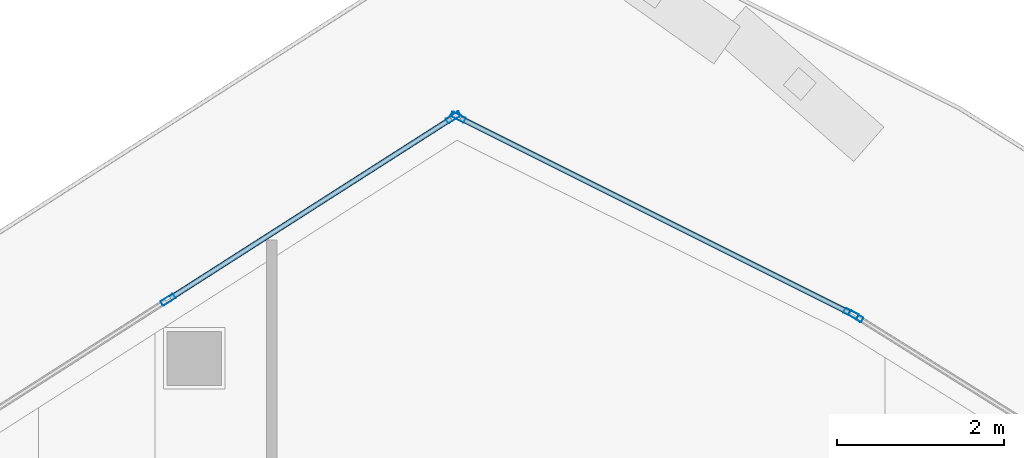
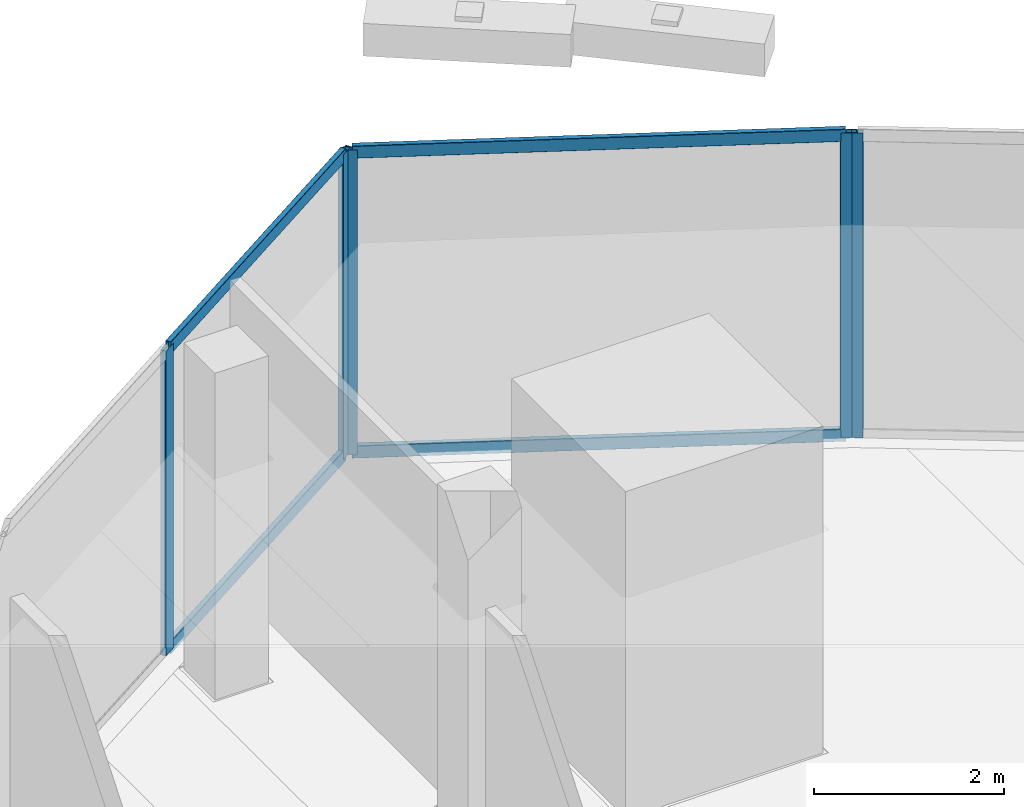
# One storey, part 26 of 44: 9 members, 3 elements without a shape of their own.
"""IFC4 building model written with IfcOpenShell, lengths in metres."""

from ifc_helpers import new_model, si_unit, direction, frame, origin, origin_2d, place, context, subcontext, project, spatial, hollow_rectangle, extrude, material, layer, layer_set, material_profile, profile_set, type_object, element, aggregate, save


model = new_model("IFC4")

# Units and contexts
model_context = context("Model", 3, precision=1e-05, world=origin(), true_north=direction((0.0, 1.0)))
body_context = subcontext(model_context, "Body", "Model", "MODEL_VIEW")
ifc_project = project(units=[si_unit("LENGTHUNIT", "METRE"), si_unit("AREAUNIT", "SQUARE_METRE"), si_unit("VOLUMEUNIT", "CUBIC_METRE"), si_unit("PLANEANGLEUNIT", "RADIAN"), si_unit("MASSUNIT", "GRAM", prefix="KILO")], contexts=[model_context])

# Site, building, storey
site_placement = place(None, origin())
site = spatial("IfcSite", under=ifc_project, at=site_placement, CompositionType="ELEMENT")
building_placement = place(site_placement, origin())
building = spatial("IfcBuilding", under=site, at=building_placement, Name="Qorvath Tower", CompositionType="ELEMENT")
storey_placement = place(building_placement, frame((0.0, 0.0, 45.0)))
storey = spatial("IfcBuildingStorey", under=building, at=storey_placement, Name="L09", CompositionType="ELEMENT", Elevation=45.0)

# Curtain wall, member
ifc_material_1 = material(Name="Anodised aluminium and triple low-E glass", Category="aluminium")
ifc_layer = layer(ifc_material_1, 0.179931640625)
ifc_layer_set = layer_set([ifc_layer], Name="CW-SYS-2")
curtain_wall_type = type_object("IfcCurtainWallType", Name="CW-SYS-2", PredefinedType="NOTDEFINED", material=ifc_layer_set)
curtain_wall_1_placement = place(storey_placement, origin())
curtain_wall_1 = element("IfcCurtainWall", 1, at=curtain_wall_1_placement, inside=storey, type_object=curtain_wall_type, Name="Curtain Wall CW-2 CW-T-L09-14.1", PredefinedType="NOTDEFINED")
ifc_material_2 = material(Name="Anodised aluminium 6063-T6", Category="aluminium")
ifc_material_profile_1 = material_profile(ifc_material_2, hollow_rectangle(XDim=0.06494140625, YDim=0.179931640625, WallThickness=0.00341796875, InnerFilletRadius=0.00341796875, OuterFilletRadius=0.007080078125, at=origin_2d()), Name="CWM 180x65")
ifc_profile_set_1 = profile_set([ifc_material_profile_1], Name="Anodised aluminium 6063-T6")
member_type_1 = type_object("IfcMemberType", Name="CWM-180", PredefinedType="MULLION", material=ifc_profile_set_1)
member_1_placement = place(storey_placement, frame((-10.06396484375, 31.00439453125, 0.0), z_axis=(0.0, 0.0, 1.0), x_axis=(-0.529724040691, -0.848170054125, 0.0)))
member_1 = element("IfcMember", 2, at=member_1_placement, type_object=member_type_1, Name="CW-2 mullion 3", PredefinedType="MULLION", context=body_context, shape_type="SweptSolid", body=[
    extrude(hollow_rectangle(XDim=0.06494140625, YDim=0.179931640625, WallThickness=0.00341796875, InnerFilletRadius=0.00341796875, OuterFilletRadius=0.007080078125, at=origin_2d()), origin(), (0.0, 0.0, 1.0), 3.919921875),
])
aggregate(curtain_wall_1, [member_1])

# Curtain wall, members
curtain_wall_2_placement = place(storey_placement, origin())
curtain_wall_2 = element("IfcCurtainWall", 3, at=curtain_wall_2_placement, inside=storey, type_object=curtain_wall_type, Name="Curtain Wall CW-2 CW-T-L09-15.1", PredefinedType="NOTDEFINED")
member_2_placement = place(storey_placement, frame((-10.12060546875, 31.0361328125, 0.0), z_axis=(0.0, 0.0, 1.0), x_axis=(-0.447258573792, -0.89440470044, 0.0)))
member_2 = element("IfcMember", 4, at=member_2_placement, type_object=member_type_1, Name="CW-2 mullion 1", PredefinedType="MULLION", context=body_context, shape_type="SweptSolid", body=[
    extrude(hollow_rectangle(XDim=0.06494140625, YDim=0.179931640625, WallThickness=0.00341796875, InnerFilletRadius=0.00341796875, OuterFilletRadius=0.007080078125, at=origin_2d()), origin(), (0.0, 0.0, 1.0), 3.919921875),
])
member_3_placement = place(storey_placement, frame((-14.8349609375, 33.3935546875, 0.0), z_axis=(0.0, 0.0, 1.0), x_axis=(-0.447258573792, -0.89440470044, 0.0)))
member_3 = element("IfcMember", 5, at=member_3_placement, type_object=member_type_1, Name="CW-2 mullion 2", PredefinedType="MULLION", context=body_context, shape_type="SweptSolid", body=[
    extrude(hollow_rectangle(XDim=0.06494140625, YDim=0.179931640625, WallThickness=0.00341796875, InnerFilletRadius=0.00341796875, OuterFilletRadius=0.007080078125, at=origin_2d()), origin(), (0.0, 0.0, 1.0), 3.919921875),
])

curtain_wall_3_placement = place(storey_placement, origin())
curtain_wall_3 = element("IfcCurtainWall", 6, at=curtain_wall_3_placement, inside=storey, type_object=curtain_wall_type, Name="Curtain Wall CW-2 CW-T-L09-16.1", PredefinedType="NOTDEFINED")
member_4_placement = place(storey_placement, frame((-14.891357421875, 33.390380859375, 0.0), z_axis=(0.0, 0.0, 1.0), x_axis=(0.538532896531, -0.842604485719, 0.0)))
member_4 = element("IfcMember", 7, at=member_4_placement, type_object=member_type_1, Name="CW-2 mullion 1", PredefinedType="MULLION", context=body_context, shape_type="SweptSolid", body=[
    extrude(hollow_rectangle(XDim=0.06494140625, YDim=0.179931640625, WallThickness=0.00341796875, InnerFilletRadius=0.00341796875, OuterFilletRadius=0.007080078125, at=origin_2d()), origin(), (0.0, 0.0, 1.0), 3.919921875),
])
member_5_placement = place(storey_placement, frame((-18.3125, 31.203857421875, 0.0), z_axis=(0.0, 0.0, 1.0), x_axis=(0.538532896531, -0.842604485719, 0.0)))
member_5 = element("IfcMember", 8, at=member_5_placement, type_object=member_type_1, Name="CW-2 mullion 2", PredefinedType="MULLION", context=body_context, shape_type="SweptSolid", body=[
    extrude(hollow_rectangle(XDim=0.06494140625, YDim=0.179931640625, WallThickness=0.00341796875, InnerFilletRadius=0.00341796875, OuterFilletRadius=0.007080078125, at=origin_2d()), origin(), (0.0, 0.0, 1.0), 3.919921875),
])

# Member
ifc_material_3 = material(Name="Anodised aluminium 6063-T6", Category="aluminium")
ifc_material_profile_2 = material_profile(ifc_material_3, hollow_rectangle(XDim=0.06494140625, YDim=0.159912109375, WallThickness=0.00341796875, InnerFilletRadius=0.00341796875, OuterFilletRadius=0.007080078125, at=origin_2d()), Name="CWT 160x65")
ifc_profile_set_2 = profile_set([ifc_material_profile_2], Name="Anodised aluminium 6063-T6")
member_type_2 = type_object("IfcMemberType", Name="CWT-160", PredefinedType="USERDEFINED", material=ifc_profile_set_2)
member_6_placement = place(storey_placement, frame((-10.149658203125, 31.050537109375, 0.032470703125), z_axis=(-0.894408431647, 0.447251112239, 0.0), x_axis=(-0.447251112239, -0.894408431647, 0.0)))
member_6 = element("IfcMember", 9, at=member_6_placement, type_object=member_type_2, Name="CW-2 transom 1.1", ObjectType="TRANSOM", PredefinedType="USERDEFINED", context=body_context, shape_type="SweptSolid", body=[
    extrude(hollow_rectangle(XDim=0.06494140625, YDim=0.159912109375, WallThickness=0.00341796875, InnerFilletRadius=0.00341796875, OuterFilletRadius=0.007080078125, at=origin_2d()), origin(), (0.0, 0.0, 1.0), 5.2060546875),
])

member_7_placement = place(storey_placement, frame((-10.149658203125, 31.050537109375, 3.887451171875), z_axis=(-0.894408431647, 0.447251112239, 0.0), x_axis=(-0.447251112239, -0.894408431647, 0.0)))
member_7 = element("IfcMember", 10, at=member_7_placement, type_object=member_type_2, Name="CW-2 transom 1.2", ObjectType="TRANSOM", PredefinedType="USERDEFINED", context=body_context, shape_type="SweptSolid", body=[
    extrude(hollow_rectangle(XDim=0.06494140625, YDim=0.159912109375, WallThickness=0.00341796875, InnerFilletRadius=0.00341796875, OuterFilletRadius=0.007080078125, at=origin_2d()), origin(), (0.0, 0.0, 1.0), 5.2060546875),
])

aggregate(curtain_wall_2, [member_2, member_3, member_6, member_7])

member_8_placement = place(storey_placement, frame((-14.918701171875, 33.373046875, 0.032470703125), z_axis=(-0.842603063351, -0.538535122004, 0.0), x_axis=(0.538535122004, -0.842603063351, 0.0)))
member_8 = element("IfcMember", 11, at=member_8_placement, type_object=member_type_2, Name="CW-2 transom 1.1", ObjectType="TRANSOM", PredefinedType="USERDEFINED", context=body_context, shape_type="SweptSolid", body=[
    extrude(hollow_rectangle(XDim=0.06494140625, YDim=0.159912109375, WallThickness=0.00341796875, InnerFilletRadius=0.00341796875, OuterFilletRadius=0.007080078125, at=origin_2d()), origin(), (0.0, 0.0, 1.0), 3.995361328125),
])

member_9_placement = place(storey_placement, frame((-14.918701171875, 33.373046875, 3.887451171875), z_axis=(-0.842603063351, -0.538535122004, 0.0), x_axis=(0.538535122004, -0.842603063351, 0.0)))
member_9 = element("IfcMember", 12, at=member_9_placement, type_object=member_type_2, Name="CW-2 transom 1.2", ObjectType="TRANSOM", PredefinedType="USERDEFINED", context=body_context, shape_type="SweptSolid", body=[
    extrude(hollow_rectangle(XDim=0.06494140625, YDim=0.159912109375, WallThickness=0.00341796875, InnerFilletRadius=0.00341796875, OuterFilletRadius=0.007080078125, at=origin_2d()), origin(), (0.0, 0.0, 1.0), 3.995361328125),
])

aggregate(curtain_wall_3, [member_4, member_5, member_8, member_9])

save(model, "model.ifc")
